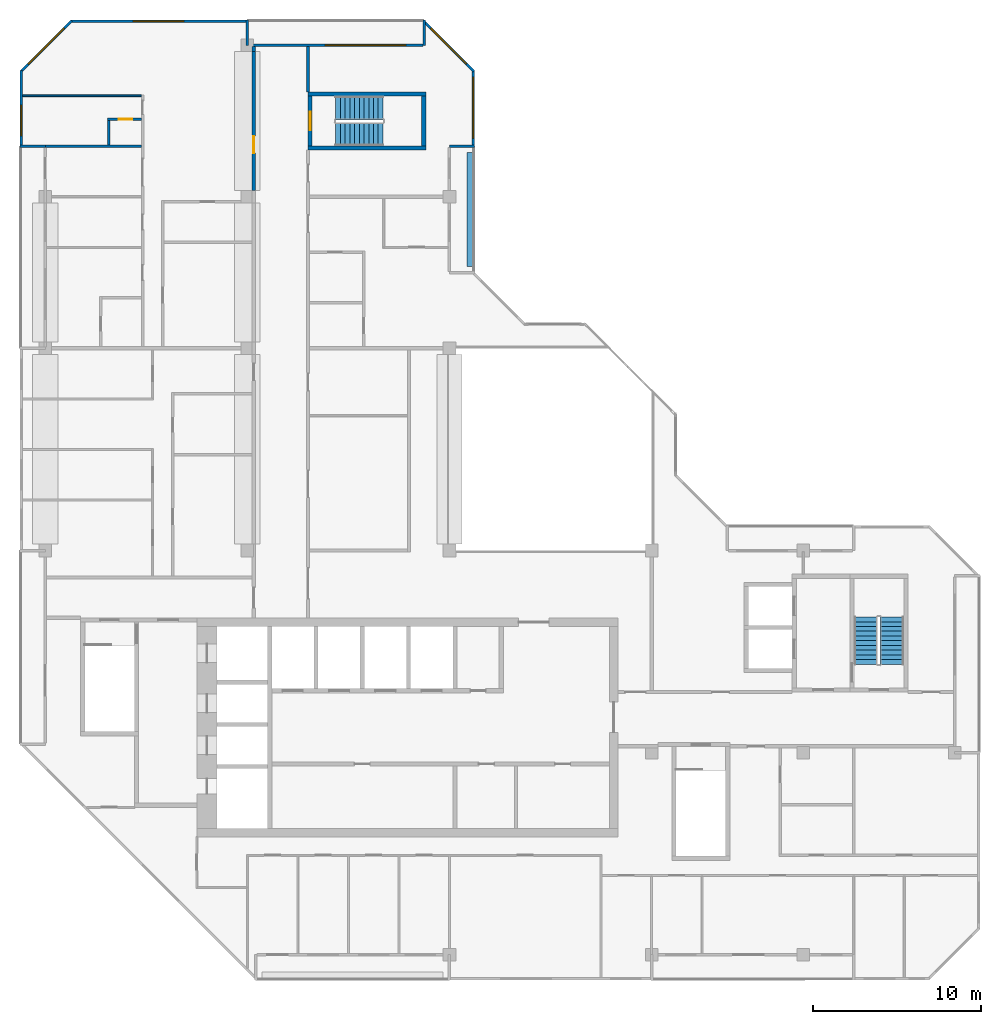
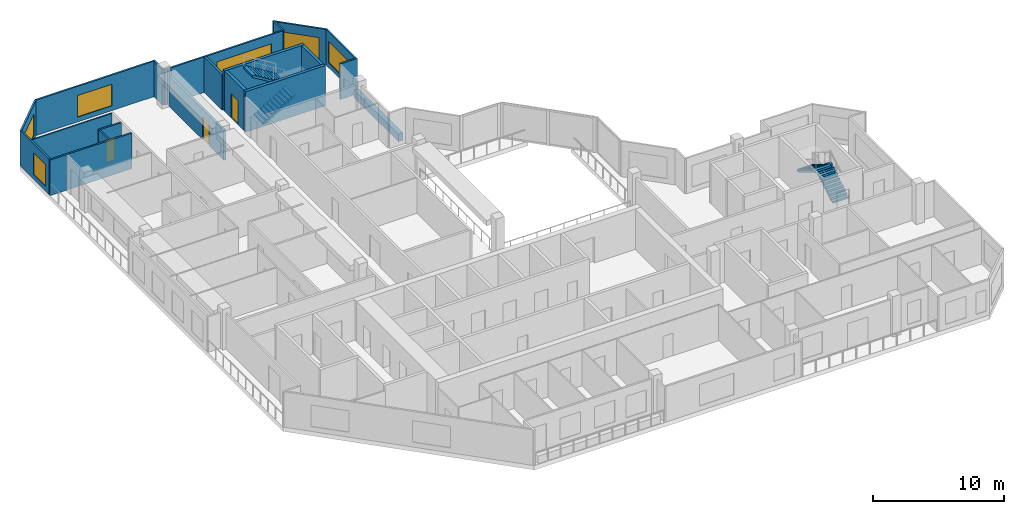
# One storey, part 9 of 11: 22 walls, 6 windows, 4 stair flights, 3 doors, 9 openings, 2 elements without a shape of their own.
"""IFC4 building model written with IfcOpenShell, lengths in metres."""

from ifc_helpers import new_model, si_unit, direction, frame, frame_2d, origin, place, context, subcontext, project, spatial, polyline, rectangle, outline, extrude, material, layer, layer_set, type_object, element, fill, aggregate, save


model = new_model("IFC4")

# Units and contexts
model_context = context("Model", 3, precision=1e-05, world=origin(), true_north=direction((0.0, 1.0)))
body_context = subcontext(model_context, "Body", "Model", "MODEL_VIEW")
ifc_project = project(units=[si_unit("LENGTHUNIT", "METRE"), si_unit("AREAUNIT", "SQUARE_METRE"), si_unit("VOLUMEUNIT", "CUBIC_METRE"), si_unit("PLANEANGLEUNIT", "RADIAN"), si_unit("MASSUNIT", "GRAM", prefix="KILO")], contexts=[model_context])

# Site, building, storey
site_placement = place(None, origin())
site = spatial("IfcSite", under=ifc_project, at=site_placement, CompositionType="ELEMENT")
building_placement = place(site_placement, origin())
building = spatial("IfcBuilding", under=site, at=building_placement, Name="Chenar Terraces", CompositionType="ELEMENT")
storey_placement = place(building_placement, frame((0.0, 0.0, 380.14990234375)))
storey = spatial("IfcBuildingStorey", under=building, at=storey_placement, Name="L89", CompositionType="ELEMENT", Elevation=380.14990234375)

# Walls
ifc_material_1 = material(Name="Concrete C50/60", Category="concrete")
ifc_layer_1 = layer(ifc_material_1, 0.25)
ifc_layer_set_1 = layer_set([ifc_layer_1], Name="Concrete C50/60")
wall_type_1 = type_object("IfcWallType", Name="Core wall 250 Concrete C50/60", PredefinedType="SHEAR", material=ifc_layer_set_1)
for number, where, z_axis, x_axis, name in (
    (1, (15.60009765625, 47.89990234375, 0.0), (0.0, 0.0, 1.0), (1.0, 0.0, 0.0), "Core wall ST4_S L89"),
    (2, (15.60009765625, 51.10009765625, 0.0), (0.0, 0.0, 1.0), (1.0, 0.0, 0.0), "Core wall ST4_N L89"),
):
    element("IfcWall", number, at=place(storey_placement, frame(where, z_axis=z_axis, x_axis=x_axis)), inside=storey, type_object=wall_type_1, Name=name, PredefinedType="SHEAR", context=body_context, shape_type="SweptSolid", body=[
        extrude(rectangle(XDim=7.0, YDim=0.25, at=frame_2d((3.5, 0.0))), origin(), (0.0, 0.0, 1.0), 3.75),
    ])

# Wall, opening, door
wall_1_placement = place(storey_placement, frame((15.72509765625, 48.02490234375, 0.0), z_axis=(0.0, 0.0, 1.0), x_axis=(0.0, 1.0, 0.0)))
wall_1 = element("IfcWall", 3, at=wall_1_placement, inside=storey, type_object=wall_type_1, Name="Core wall ST4_W L89", PredefinedType="SHEAR", context=body_context, shape_type="SweptSolid", body=[
    extrude(rectangle(XDim=2.9501953125, YDim=0.25, at=frame_2d((1.47509765625, 0.0))), origin(), (0.0, 0.0, 1.0), 3.75),
])
opening_1_placement = place(wall_1_placement, frame((0.925048828125, 0.0, 0.0)))
opening_1 = element("IfcOpeningElement", 4, at=opening_1_placement, cuts=wall_1, Name="Opening DL89-C9", PredefinedType="OPENING", context=body_context, shape_type="SweptSolid", body=[
    extrude(rectangle(XDim=1.10009765625, YDim=2.199951171875, at=frame_2d((0.550048828125, 1.10009765625))), frame((0.0, 0.135009765625, 0.0), z_axis=(0.0, -1.0, 0.0), x_axis=(1.0, 0.0, 0.0)), (0.0, 0.0, 1.0), 0.27001953125),
])
ifc_material_2 = material(Name="Steel-framed fire-resisting door leaf", Category="steel")
door_type_1 = type_object("IfcDoorType", Name="Stair fire door FD60 1100 x 2200", OperationType="SINGLE_SWING_LEFT", PredefinedType="DOOR", material=ifc_material_2)
door_1_placement = place(opening_1_placement, frame((1.10009765625, 0.0, 0.0), z_axis=(0.0, 0.0, 1.0), x_axis=(-1.0, 0.0, 0.0)))
door_1 = element("IfcDoor", 5, at=door_1_placement, inside=storey, type_object=door_type_1, Name="Stair door DL89-C9", OperationType="SINGLE_SWING_RIGHT", OverallHeight=2.199951171875, OverallWidth=1.10009765625, PredefinedType="DOOR", context=body_context, shape_type="SweptSolid", body=[
    extrude(rectangle(XDim=1.10009765625, YDim=2.199951171875, at=frame_2d((0.550048828125, 1.10009765625))), frame((0.0, 0.02490234375, 0.0), z_axis=(0.0, -1.0, 0.0), x_axis=(1.0, 0.0, 0.0)), (0.0, 0.0, 1.0), 0.050048828125),
])
fill(opening_1, door_1)

# Walls
wall_2_placement = place(storey_placement, frame((22.47509765625, 48.02490234375, 0.0), z_axis=(0.0, 0.0, 1.0), x_axis=(0.0, 1.0, 0.0)))
element("IfcWall", 6, at=wall_2_placement, inside=storey, type_object=wall_type_1, Name="Core wall ST4_E L89", PredefinedType="SHEAR", context=body_context, shape_type="SweptSolid", body=[
    extrude(rectangle(XDim=2.9501953125, YDim=0.25, at=frame_2d((1.47509765625, 0.0))), origin(), (0.0, 0.0, 1.0), 3.75),
])
ifc_material_3 = material(Name="Gypsum board on steel studs with fire boards", Category="steel")
ifc_layer_2 = layer(ifc_material_3, 0.199951171875)
ifc_layer_set_2 = layer_set([ifc_layer_2], Name="Gypsum board on steel studs with fire boards")
wall_type_2 = type_object("IfcWallType", Name="Corridor wall 200", PredefinedType="PARTITIONING", material=ifc_layer_set_2)
wall_3_placement = place(storey_placement, frame((15.60009765625, 51.22509765625, 0.0), z_axis=(0.0, 0.0, 1.0), x_axis=(0.0, 1.0, 0.0)))
element("IfcWall", 7, at=wall_3_placement, inside=storey, type_object=wall_type_2, Name="Partition L89-032", PredefinedType="PARTITIONING", context=body_context, shape_type="SweptSolid", body=[
    extrude(rectangle(XDim=2.700927734375, YDim=0.199951171875, at=frame_2d((1.3505859375, 0.0))), origin(), (0.0, 0.0, 1.0), 3.300048828125),
])

# Wall, opening, door
wall_4_placement = place(storey_placement, frame((12.375, 45.375, 0.0), z_axis=(0.0, 0.0, 1.0), x_axis=(0.0, 1.0, 0.0)))
wall_4 = element("IfcWall", 8, at=wall_4_placement, inside=storey, type_object=wall_type_2, Name="Partition L89-029", PredefinedType="PARTITIONING", context=body_context, shape_type="SweptSolid", body=[
    extrude(rectangle(XDim=8.25, YDim=0.199951171875, at=frame_2d((4.125, 0.0))), origin(), (0.0, 0.0, 1.0), 2.800048828125),
])
opening_2_placement = place(wall_4_placement, frame((2.22509765625, 0.0, 0.0)))
opening_2 = element("IfcOpeningElement", 9, at=opening_2_placement, cuts=wall_4, Name="Opening DL89-13", PredefinedType="OPENING", context=body_context, shape_type="SweptSolid", body=[
    extrude(rectangle(XDim=1.0, YDim=2.10009765625, at=frame_2d((0.5, 1.050048828125))), frame((0.0, 0.10986328125, 0.0), z_axis=(0.0, -1.0, 0.0), x_axis=(1.0, 0.0, 0.0)), (0.0, 0.0, 1.0), 0.219970703125),
])
ifc_material_4 = material(Name="Steel-framed fire-resisting door leaf", Category="steel")
door_type_2 = type_object("IfcDoorType", Name="Fire door FD30S 1000 x 2100", OperationType="SINGLE_SWING_LEFT", PredefinedType="DOOR", material=ifc_material_4)
door_2_placement = place(opening_2_placement, origin())
door_2 = element("IfcDoor", 10, at=door_2_placement, inside=storey, type_object=door_type_2, Name="Door DL89-13", OperationType="SINGLE_SWING_RIGHT", OverallHeight=2.10009765625, OverallWidth=1.0, PredefinedType="DOOR", context=body_context, shape_type="SweptSolid", body=[
    extrude(rectangle(XDim=1.0, YDim=2.10009765625, at=frame_2d((0.5, 1.050048828125))), frame((0.0, 0.02490234375, 0.0), z_axis=(0.0, -1.0, 0.0), x_axis=(1.0, 0.0, 0.0)), (0.0, 0.0, 1.0), 0.050048828125),
])
fill(opening_2, door_2)

# Wall
wall_5_placement = place(storey_placement, frame((12.375, 53.625, 0.0), z_axis=(0.0, 0.0, 1.0), x_axis=(0.0, 1.0, 0.0)))
element("IfcWall", 11, at=wall_5_placement, inside=storey, type_object=wall_type_2, Name="Partition L89-029", PredefinedType="PARTITIONING", context=body_context, shape_type="SweptSolid", body=[
    extrude(rectangle(XDim=0.301025390625, YDim=0.199951171875, at=frame_2d((0.150390625, 0.0))), origin(), (0.0, 0.0, 1.0), 3.300048828125),
])

# Wall, opening, window
ifc_material_5 = material(Name="Aluminium framed glazing", Category="aluminium")
ifc_layer_3 = layer(ifc_material_5, 0.14990234375)
ifc_layer_set_3 = layer_set([ifc_layer_3], Name="Aluminium framed glazing")
wall_type_3 = type_object("IfcWallType", Name="Glazed flush facade wall 150", PredefinedType="SOLIDWALL", material=ifc_layer_set_3)
wall_6_placement = place(storey_placement, frame((25.425048828125, 48.074951171875, 0.0), z_axis=(0.0, 0.0, 1.0), x_axis=(0.0, 1.0, 0.0)))
wall_6 = element("IfcWall", 12, at=wall_6_placement, inside=storey, type_object=wall_type_3, Name="Glazed flush facade wall", PredefinedType="SOLIDWALL", context=body_context, shape_type="SweptSolid", body=[
    extrude(rectangle(XDim=4.425048828125, YDim=0.14990234375, at=frame_2d((2.21240234375, 0.0))), origin(), (0.0, 0.0, 1.0), 3.300048828125),
])
opening_3_placement = place(wall_6_placement, frame((0.41259765625, 0.0, 0.449951171875)))
opening_3 = element("IfcOpeningElement", 13, at=opening_3_placement, cuts=wall_6, Name="Opening W360x200", PredefinedType="OPENING", context=body_context, shape_type="SweptSolid", body=[
    extrude(rectangle(XDim=3.60009765625, YDim=2.0, at=frame_2d((1.800048828125, 1.0))), frame((0.0, 0.0849609375, 0.0), z_axis=(0.0, -1.0, 0.0), x_axis=(1.0, 0.0, 0.0)), (0.0, 0.0, 1.0), 0.169921875),
])
ifc_material_6 = material(Name="Low emissivity double glazing, aluminium frame", Category="aluminium")
window_type_1 = type_object("IfcWindowType", Name="Fixed light 3600 x 2000", PartitioningType="SINGLE_PANEL", PredefinedType="WINDOW", material=ifc_material_6)
window_1_placement = place(opening_3_placement, origin())
window_1 = element("IfcWindow", 14, at=window_1_placement, inside=storey, type_object=window_type_1, Name="Window", OverallHeight=2.0, OverallWidth=3.60009765625, PartitioningType="SINGLE_PANEL", PredefinedType="WINDOW", context=body_context, shape_type="SweptSolid", body=[
    extrude(rectangle(XDim=3.60009765625, YDim=2.0, at=frame_2d((1.800048828125, 1.0))), frame((0.0, 0.030029296875, 0.0), z_axis=(0.0, -1.0, 0.0), x_axis=(1.0, 0.0, 0.0)), (0.0, 0.0, 1.0), 0.06005859375),
])
fill(opening_3, window_1)

wall_7_placement = place(storey_placement, frame((11.925048828125, 55.425048828125, 0.0), z_axis=(0.0, 0.0, 1.0), x_axis=(-1.0, 0.0, 0.0)))
wall_7 = element("IfcWall", 15, at=wall_7_placement, inside=storey, type_object=wall_type_3, Name="Glazed flush facade wall", PredefinedType="SOLIDWALL", context=body_context, shape_type="SweptSolid", body=[
    extrude(rectangle(XDim=10.425048828125, YDim=0.14990234375, at=frame_2d((5.21240234375, 0.0))), origin(), (0.0, 0.0, 1.0), 3.300048828125),
])
opening_4_placement = place(wall_7_placement, frame((3.71240234375, 0.0, 0.449951171875)))
opening_4 = element("IfcOpeningElement", 16, at=opening_4_placement, cuts=wall_7, Name="Opening W300x200", PredefinedType="OPENING", context=body_context, shape_type="SweptSolid", body=[
    extrude(rectangle(XDim=3.0, YDim=2.0, at=frame_2d((1.5, 1.0))), frame((0.0, 0.0849609375, 0.0), z_axis=(0.0, -1.0, 0.0), x_axis=(1.0, 0.0, 0.0)), (0.0, 0.0, 1.0), 0.169921875),
])
ifc_material_7 = material(Name="Low emissivity double glazing, aluminium frame", Category="aluminium")
window_type_2 = type_object("IfcWindowType", Name="Fixed light 3000 x 2000", PartitioningType="SINGLE_PANEL", PredefinedType="WINDOW", material=ifc_material_7)
window_2_placement = place(opening_4_placement, origin())
window_2 = element("IfcWindow", 17, at=window_2_placement, inside=storey, type_object=window_type_2, Name="Window", OverallHeight=2.0, OverallWidth=3.0, PartitioningType="SINGLE_PANEL", PredefinedType="WINDOW", context=body_context, shape_type="SweptSolid", body=[
    extrude(rectangle(XDim=3.0, YDim=2.0, at=frame_2d((1.5, 1.0))), frame((0.0, 0.030029296875, 0.0), z_axis=(0.0, -1.0, 0.0), x_axis=(1.0, 0.0, 0.0)), (0.0, 0.0, 1.0), 0.06005859375),
])
fill(opening_4, window_2)

wall_8_placement = place(storey_placement, frame((-1.425048828125, 52.5, 0.0), z_axis=(0.0, 0.0, 1.0), x_axis=(0.0, -1.0, 0.0)))
wall_8 = element("IfcWall", 18, at=wall_8_placement, inside=storey, type_object=wall_type_3, Name="Glazed flush facade wall", PredefinedType="SOLIDWALL", context=body_context, shape_type="SweptSolid", body=[
    extrude(rectangle(XDim=4.425048828125, YDim=0.14990234375, at=frame_2d((2.21240234375, 0.0))), origin(), (0.0, 0.0, 1.0), 3.300048828125),
])
opening_5_placement = place(wall_8_placement, frame((2.0625, 0.0, 0.449951171875)))
opening_5 = element("IfcOpeningElement", 19, at=opening_5_placement, cuts=wall_8, Name="Opening W180x200", PredefinedType="OPENING", context=body_context, shape_type="SweptSolid", body=[
    extrude(rectangle(XDim=1.800048828125, YDim=2.0, at=frame_2d((0.89990234375, 1.0))), frame((0.0, 0.0849609375, 0.0), z_axis=(0.0, -1.0, 0.0), x_axis=(1.0, 0.0, 0.0)), (0.0, 0.0, 1.0), 0.169921875),
])
ifc_material_8 = material(Name="Low emissivity double glazing, aluminium frame", Category="aluminium")
window_type_3 = type_object("IfcWindowType", Name="Fixed light 1800 x 2000", PartitioningType="SINGLE_PANEL", PredefinedType="WINDOW", material=ifc_material_8)
window_3_placement = place(opening_5_placement, origin())
window_3 = element("IfcWindow", 20, at=window_3_placement, inside=storey, type_object=window_type_3, Name="Window", OverallHeight=2.0, OverallWidth=1.800048828125, PartitioningType="SINGLE_PANEL", PredefinedType="WINDOW", context=body_context, shape_type="SweptSolid", body=[
    extrude(rectangle(XDim=1.800048828125, YDim=2.0, at=frame_2d((0.89990234375, 1.0))), frame((0.0, 0.030029296875, 0.0), z_axis=(0.0, -1.0, 0.0), x_axis=(1.0, 0.0, 0.0)), (0.0, 0.0, 1.0), 0.06005859375),
])
fill(opening_5, window_3)

ifc_material_9 = material(Name="Aluminium framed glazing", Category="aluminium")
ifc_layer_4 = layer(ifc_material_9, 0.14990234375)
ifc_layer_set_4 = layer_set([ifc_layer_4], Name="Aluminium framed glazing")
wall_type_4 = type_object("IfcWallType", Name="Glazed loggia back wall 150", PredefinedType="SOLIDWALL", material=ifc_layer_set_4)
wall_9_placement = place(storey_placement, frame((22.425048828125, 54.0, 0.0), z_axis=(0.0, 0.0, 1.0), x_axis=(-1.0, 0.0, 0.0)))
wall_9 = element("IfcWall", 21, at=wall_9_placement, inside=storey, type_object=wall_type_4, Name="Glazed loggia back wall", PredefinedType="SOLIDWALL", context=body_context, shape_type="SweptSolid", body=[
    extrude(rectangle(XDim=10.35009765625, YDim=0.14990234375, at=frame_2d((5.175048828125, 0.0))), origin(), (0.0, 0.0, 1.0), 3.300048828125),
])
opening_6_placement = place(wall_9_placement, frame((1.012451171875, 0.0, 0.449951171875)))
opening_6 = element("IfcOpeningElement", 22, at=opening_6_placement, cuts=wall_9, Name="Opening W480x200", PredefinedType="OPENING", context=body_context, shape_type="SweptSolid", body=[
    extrude(rectangle(XDim=4.800048828125, YDim=2.0, at=frame_2d((2.39990234375, 1.0))), frame((0.0, 0.0849609375, 0.0), z_axis=(0.0, -1.0, 0.0), x_axis=(1.0, 0.0, 0.0)), (0.0, 0.0, 1.0), 0.169921875),
])
ifc_material_10 = material(Name="Low emissivity double glazing, aluminium frame", Category="aluminium")
window_type_4 = type_object("IfcWindowType", Name="Fixed light 4800 x 2000", PartitioningType="SINGLE_PANEL", PredefinedType="WINDOW", material=ifc_material_10)
window_4_placement = place(opening_6_placement, origin())
window_4 = element("IfcWindow", 23, at=window_4_placement, inside=storey, type_object=window_type_4, Name="Window", OverallHeight=2.0, OverallWidth=4.800048828125, PartitioningType="SINGLE_PANEL", PredefinedType="WINDOW", context=body_context, shape_type="SweptSolid", body=[
    extrude(rectangle(XDim=4.800048828125, YDim=2.0, at=frame_2d((2.39990234375, 1.0))), frame((0.0, 0.030029296875, 0.0), z_axis=(0.0, -1.0, 0.0), x_axis=(1.0, 0.0, 0.0)), (0.0, 0.0, 1.0), 0.06005859375),
])
fill(opening_6, window_4)

# Walls
ifc_material_11 = material(Name="Gypsum board on steel studs", Category="steel")
ifc_layer_5 = layer(ifc_material_11, 0.10009765625)
ifc_layer_set_5 = layer_set([ifc_layer_5], Name="Gypsum board on steel studs")
wall_type_5 = type_object("IfcWallType", Name="Gypsum partition 100", PredefinedType="PARTITIONING", material=ifc_layer_set_5)
wall_10_placement = place(storey_placement, frame((-1.35009765625, 51.0, 0.0), z_axis=(0.0, 0.0, 1.0), x_axis=(1.0, 0.0, 0.0)))
element("IfcWall", 24, at=wall_10_placement, inside=storey, type_object=wall_type_5, Name="Partition L89-006", PredefinedType="PARTITIONING", context=body_context, shape_type="SweptSolid", body=[
    extrude(rectangle(XDim=7.050048828125, YDim=0.10009765625, at=frame_2d((3.52490234375, 0.0))), origin(), (0.0, 0.0, 1.0), 3.300048828125),
])
ifc_material_12 = material(Name="Terracotta cladding on insulated backing", Category="masonry")
ifc_layer_6 = layer(ifc_material_12, 0.14990234375)
ifc_layer_set_6 = layer_set([ifc_layer_6], Name="Terracotta cladding on insulated backing")
wall_type_6 = type_object("IfcWallType", Name="Loggia return wall 150", PredefinedType="SOLIDWALL", material=ifc_layer_set_6)
for number, where, z_axis, x_axis, name in (
    (25, (25.5, 48.0, 0.0), (0.0, 0.0, 1.0), (-1.0, 0.0, 0.0), "Loggia return wall"),
    (26, (22.5, 55.5, 0.0), (0.0, 0.0, 1.0), (0.0, -1.0, 0.0), "Loggia return wall"),
    (27, (12.0, 55.5, 0.0), (0.0, 0.0, 1.0), (0.0, -1.0, 0.0), "Loggia return wall"),
    (28, (-1.5, 48.0, 0.0), (0.0, 0.0, 1.0), (1.0, 0.0, 0.0), "Loggia return wall"),
):
    element("IfcWall", number, at=place(storey_placement, frame(where, z_axis=z_axis, x_axis=x_axis)), inside=storey, type_object=wall_type_6, Name=name, PredefinedType="SOLIDWALL", context=body_context, shape_type="SweptSolid", body=[
        extrude(rectangle(XDim=1.5, YDim=0.14990234375, at=frame_2d((0.75, 0.0))), origin(), (0.0, 0.0, 1.0), 3.300048828125),
    ])

# Wall, opening, window
ifc_material_13 = material(Name="Terracotta cladding on insulated backing", Category="masonry")
ifc_layer_7 = layer(ifc_material_13, 0.14990234375)
ifc_layer_set_7 = layer_set([ifc_layer_7], Name="Terracotta cladding on insulated backing")
wall_type_7 = type_object("IfcWallType", Name="Terracotta rainscreen wall 150", PredefinedType="SOLIDWALL", material=ifc_layer_set_7)
wall_11_placement = place(storey_placement, frame((25.447021484375, 52.447021484375, 0.0), z_axis=(0.0, 0.0, 1.0), x_axis=(-0.707106781187, 0.707106781187, 0.0)))
wall_11 = element("IfcWall", 29, at=wall_11_placement, inside=storey, type_object=wall_type_7, Name="Terracotta rainscreen wall", PredefinedType="SOLIDWALL", context=body_context, shape_type="SweptSolid", body=[
    extrude(rectangle(XDim=4.24267578125, YDim=0.14990234375, at=frame_2d((2.121337890625, 0.0))), origin(), (0.0, 0.0, 1.0), 3.300048828125),
])
opening_7_placement = place(wall_11_placement, frame((0.621337890625, 0.0, 0.449951171875)))
opening_7 = element("IfcOpeningElement", 30, at=opening_7_placement, cuts=wall_11, Name="Opening W300x200", PredefinedType="OPENING", context=body_context, shape_type="SweptSolid", body=[
    extrude(rectangle(XDim=3.0, YDim=2.0, at=frame_2d((1.5, 1.0))), frame((0.0, 0.0849609375, 0.0), z_axis=(0.0, -1.0, 0.0), x_axis=(1.0, 0.0, 0.0)), (0.0, 0.0, 1.0), 0.169921875),
])
window_5_placement = place(opening_7_placement, origin())
window_5 = element("IfcWindow", 31, at=window_5_placement, inside=storey, type_object=window_type_2, Name="Window", OverallHeight=2.0, OverallWidth=3.0, PartitioningType="SINGLE_PANEL", PredefinedType="WINDOW", context=body_context, shape_type="SweptSolid", body=[
    extrude(rectangle(XDim=3.0, YDim=2.0, at=frame_2d((1.5, 1.0))), frame((0.0, 0.030029296875, 0.0), z_axis=(0.0, -1.0, 0.0), x_axis=(1.0, 0.0, 0.0)), (0.0, 0.0, 1.0), 0.06005859375),
])
fill(opening_7, window_5)

wall_12_placement = place(storey_placement, frame((1.552978515625, 55.447021484375, 0.0), z_axis=(0.0, 0.0, 1.0), x_axis=(-0.707106781187, -0.707106781187, 0.0)))
wall_12 = element("IfcWall", 32, at=wall_12_placement, inside=storey, type_object=wall_type_7, Name="Terracotta rainscreen wall", PredefinedType="SOLIDWALL", context=body_context, shape_type="SweptSolid", body=[
    extrude(rectangle(XDim=4.24267578125, YDim=0.14990234375, at=frame_2d((2.121337890625, 0.0))), origin(), (0.0, 0.0, 1.0), 3.300048828125),
])
opening_8_placement = place(wall_12_placement, frame((0.621337890625, 0.0, 0.449951171875)))
opening_8 = element("IfcOpeningElement", 33, at=opening_8_placement, cuts=wall_12, Name="Opening W300x200", PredefinedType="OPENING", context=body_context, shape_type="SweptSolid", body=[
    extrude(rectangle(XDim=3.0, YDim=2.0, at=frame_2d((1.5, 1.0))), frame((0.0, 0.0849609375, 0.0), z_axis=(0.0, -1.0, 0.0), x_axis=(1.0, 0.0, 0.0)), (0.0, 0.0, 1.0), 0.169921875),
])
window_6_placement = place(opening_8_placement, origin())
window_6 = element("IfcWindow", 34, at=window_6_placement, inside=storey, type_object=window_type_2, Name="Window", OverallHeight=2.0, OverallWidth=3.0, PartitioningType="SINGLE_PANEL", PredefinedType="WINDOW", context=body_context, shape_type="SweptSolid", body=[
    extrude(rectangle(XDim=3.0, YDim=2.0, at=frame_2d((1.5, 1.0))), frame((0.0, 0.030029296875, 0.0), z_axis=(0.0, -1.0, 0.0), x_axis=(1.0, 0.0, 0.0)), (0.0, 0.0, 1.0), 0.06005859375),
])
fill(opening_8, window_6)

# Walls
ifc_material_14 = material(Name="GRP planter trough")
ifc_layer_8 = layer(ifc_material_14, 0.39990234375)
ifc_layer_set_8 = layer_set([ifc_layer_8], Name="GRP planter trough")
wall_type_8 = type_object("IfcWallType", Name="Vertical greenery planter 400", PredefinedType="SOLIDWALL", material=ifc_layer_set_8)
wall_13_placement = place(storey_placement, frame((25.22900390625, 40.875, 0.0), z_axis=(0.0, 0.0, 1.0), x_axis=(0.0, 1.0, 0.0)))
element("IfcWall", 35, at=wall_13_placement, inside=storey, type_object=wall_type_8, Name="Vertical greenery planter", PredefinedType="SOLIDWALL", context=body_context, shape_type="SweptSolid", body=[
    extrude(rectangle(XDim=6.75, YDim=0.39990234375, at=frame_2d((3.375, 0.0))), origin(), (0.0, 0.0, 1.0), 0.7001953125),
])
ifc_material_15 = material(Name="Moisture-resistant gypsum board on steel studs", Category="steel")
ifc_layer_9 = layer(ifc_material_15, 0.14990234375)
ifc_layer_set_9 = layer_set([ifc_layer_9], Name="Moisture-resistant gypsum board on steel studs")
wall_type_9 = type_object("IfcWallType", Name="Wet-room partition 150", PredefinedType="PARTITIONING", material=ifc_layer_set_9)
wall_14_placement = place(storey_placement, frame((0.0, 48.0, 0.0), z_axis=(0.0, 0.0, 1.0), x_axis=(1.0, 0.0, 0.0)))
element("IfcWall", 36, at=wall_14_placement, inside=storey, type_object=wall_type_9, Name="Partition L89-005", PredefinedType="PARTITIONING", context=body_context, shape_type="SweptSolid", body=[
    extrude(rectangle(XDim=5.699951171875, YDim=0.14990234375, at=frame_2d((2.85009765625, 0.0))), origin(), (0.0, 0.0, 1.0), 3.300048828125),
])

# Wall, opening, door
wall_15_placement = place(storey_placement, frame((3.699951171875, 49.60009765625, 0.0), z_axis=(0.0, 0.0, 1.0), x_axis=(1.0, 0.0, 0.0)))
wall_15 = element("IfcWall", 37, at=wall_15_placement, inside=storey, type_object=wall_type_9, Name="Partition L89-014", PredefinedType="PARTITIONING", context=body_context, shape_type="SweptSolid", body=[
    extrude(rectangle(XDim=2.0, YDim=0.14990234375, at=frame_2d((1.0, 0.0))), origin(), (0.0, 0.0, 1.0), 3.300048828125),
])
opening_9_placement = place(wall_15_placement, frame((0.675048828125, 0.0, 0.0)))
opening_9 = element("IfcOpeningElement", 38, at=opening_9_placement, cuts=wall_15, Name="Opening DL89-15", PredefinedType="OPENING", context=body_context, shape_type="SweptSolid", body=[
    extrude(rectangle(XDim=0.800048828125, YDim=2.10009765625, at=frame_2d((0.39990234375, 1.050048828125))), frame((0.0, 0.0849609375, 0.0), z_axis=(0.0, -1.0, 0.0), x_axis=(1.0, 0.0, 0.0)), (0.0, 0.0, 1.0), 0.169921875),
])
ifc_material_16 = material(Name="Veneered timber door leaf", Category="wood")
door_type_3 = type_object("IfcDoorType", Name="Door 800 x 2100", OperationType="SINGLE_SWING_LEFT", PredefinedType="DOOR", material=ifc_material_16)
door_3_placement = place(opening_9_placement, frame((0.800048828125, 0.0, 0.0), z_axis=(0.0, 0.0, 1.0), x_axis=(-1.0, 0.0, 0.0)))
door_3 = element("IfcDoor", 39, at=door_3_placement, inside=storey, type_object=door_type_3, Name="Door DL89-15", OperationType="SINGLE_SWING_RIGHT", OverallHeight=2.10009765625, OverallWidth=0.800048828125, PredefinedType="DOOR", context=body_context, shape_type="SweptSolid", body=[
    extrude(rectangle(XDim=0.800048828125, YDim=2.10009765625, at=frame_2d((0.39990234375, 1.050048828125))), frame((0.0, 0.02490234375, 0.0), z_axis=(0.0, -1.0, 0.0), x_axis=(1.0, 0.0, 0.0)), (0.0, 0.0, 1.0), 0.050048828125),
])
fill(opening_9, door_3)

# Wall
wall_16_placement = place(storey_placement, frame((3.77490234375, 48.074951171875, 0.0), z_axis=(0.0, 0.0, 1.0), x_axis=(0.0, 1.0, 0.0)))
element("IfcWall", 40, at=wall_16_placement, inside=storey, type_object=wall_type_9, Name="Partition L89-015", PredefinedType="PARTITIONING", context=body_context, shape_type="SweptSolid", body=[
    extrude(rectangle(XDim=1.449951171875, YDim=0.14990234375, at=frame_2d((0.72509765625, 0.0))), origin(), (0.0, 0.0, 1.0), 3.300048828125),
])

# Stair, stair flights
ifc_material_17 = material(Name="Reinforced concrete C40/50", Category="concrete")
stair_type = type_object("IfcStairType", Name="Core stair 1400 half-turn", PredefinedType="HALF_TURN_STAIR", material=ifc_material_17)
placement = place(storey_placement, origin())
stair_1 = element("IfcStair", 41, at=placement, inside=storey, type_object=stair_type, Name="L89 Stair 3", PredefinedType="HALF_TURN_STAIR")
ifc_material_18 = material(Name="Reinforced concrete C40/50", Category="concrete")
stair_flight_type = type_object("IfcStairFlightType", Name="Core stair flight 1400", PredefinedType="STRAIGHT", material=ifc_material_18)
stair_flight_1_placement = place(storey_placement, frame((50.27490234375, 17.25, 0.0), z_axis=(0.0, 0.0, 1.0), x_axis=(0.0, 1.0, 0.0)))
stair_flight_1 = element("IfcStairFlight", 42, at=stair_flight_1_placement, type_object=stair_flight_type, Name="ST3 flight 1", NumberOfRisers=11, NumberOfTreads=10, PredefinedType="STRAIGHT", RiserHeight=0.170454545, TreadLength=0.28, context=body_context, shape_type="SweptSolid", body=[
    extrude(outline(polyline([(-0.0029296875, 0.0), (-0.0029296875, 0.17041015625), (0.0, 0.17041015625), (0.280029296875, 0.17041015625), (0.280029296875, 0.3408203125), (0.56005859375, 0.3408203125), (0.56005859375, 0.511474609375), (0.840087890625, 0.511474609375), (0.840087890625, 0.681884765625), (1.1201171875, 0.681884765625), (1.1201171875, 0.852294921875), (1.39990234375, 0.852294921875), (1.39990234375, 1.022705078125), (1.679931640625, 1.022705078125), (1.679931640625, 1.193115234375), (1.9599609375, 1.193115234375), (1.9599609375, 1.363525390625), (2.239990234375, 1.363525390625), (2.239990234375, 1.5341796875), (2.52001953125, 1.5341796875), (2.52001953125, 1.70458984375), (2.800048828125, 1.70458984375), (2.802978515625, 1.70458984375), (2.802978515625, 1.529052734375), (2.800048828125, 1.529052734375), (0.288330078125, 0.0), (-0.0029296875, 0.0)])), frame((0.0, 0.699951171875, 0.0), z_axis=(0.0, -1.0, 0.0), x_axis=(1.0, 0.0, 0.0)), (0.0, 0.0, 1.0), 1.39990234375),
])
stair_flight_2_placement = place(storey_placement, frame((48.72509765625, 20.050048828125, 1.875), z_axis=(0.0, 0.0, 1.0), x_axis=(0.0, -1.0, 0.0)))
stair_flight_2 = element("IfcStairFlight", 43, at=stair_flight_2_placement, type_object=stair_flight_type, Name="ST3 flight 2", NumberOfRisers=11, NumberOfTreads=10, PredefinedType="STRAIGHT", RiserHeight=0.170454545, TreadLength=0.28, context=body_context, shape_type="SweptSolid", body=[
    extrude(outline(polyline([(-0.0029296875, 0.0), (-0.0029296875, 0.17041015625), (0.0, 0.17041015625), (0.280029296875, 0.17041015625), (0.280029296875, 0.3408203125), (0.56005859375, 0.3408203125), (0.56005859375, 0.511474609375), (0.840087890625, 0.511474609375), (0.840087890625, 0.681884765625), (1.1201171875, 0.681884765625), (1.1201171875, 0.852294921875), (1.39990234375, 0.852294921875), (1.39990234375, 1.022705078125), (1.679931640625, 1.022705078125), (1.679931640625, 1.193115234375), (1.9599609375, 1.193115234375), (1.9599609375, 1.363525390625), (2.239990234375, 1.363525390625), (2.239990234375, 1.5341796875), (2.52001953125, 1.5341796875), (2.52001953125, 1.70458984375), (2.800048828125, 1.70458984375), (2.802978515625, 1.70458984375), (2.802978515625, 1.529052734375), (2.800048828125, 1.529052734375), (0.288330078125, 0.0), (-0.0029296875, 0.0)])), frame((0.0, 0.699951171875, 0.0), z_axis=(0.0, -1.0, 0.0), x_axis=(1.0, 0.0, 0.0)), (0.0, 0.0, 1.0), 1.39990234375),
])
aggregate(stair_1, [stair_flight_1, stair_flight_2])

stair_2 = element("IfcStair", 44, at=placement, inside=storey, type_object=stair_type, Name="L89 Stair 4", PredefinedType="HALF_TURN_STAIR")
stair_flight_3_placement = place(storey_placement, frame((17.25, 48.72509765625, 0.0), z_axis=(0.0, 0.0, 1.0), x_axis=(1.0, 0.0, 0.0)))
stair_flight_3 = element("IfcStairFlight", 45, at=stair_flight_3_placement, type_object=stair_flight_type, Name="ST4 flight 1", NumberOfRisers=11, NumberOfTreads=10, PredefinedType="STRAIGHT", RiserHeight=0.170454545, TreadLength=0.28, context=body_context, shape_type="SweptSolid", body=[
    extrude(outline(polyline([(-0.0029296875, 0.0), (-0.0029296875, 0.17041015625), (0.0, 0.17041015625), (0.280029296875, 0.17041015625), (0.280029296875, 0.3408203125), (0.56005859375, 0.3408203125), (0.56005859375, 0.511474609375), (0.840087890625, 0.511474609375), (0.840087890625, 0.681884765625), (1.1201171875, 0.681884765625), (1.1201171875, 0.852294921875), (1.39990234375, 0.852294921875), (1.39990234375, 1.022705078125), (1.679931640625, 1.022705078125), (1.679931640625, 1.193115234375), (1.9599609375, 1.193115234375), (1.9599609375, 1.363525390625), (2.239990234375, 1.363525390625), (2.239990234375, 1.5341796875), (2.52001953125, 1.5341796875), (2.52001953125, 1.70458984375), (2.800048828125, 1.70458984375), (2.802978515625, 1.70458984375), (2.802978515625, 1.529052734375), (2.800048828125, 1.529052734375), (0.288330078125, 0.0), (-0.0029296875, 0.0)])), frame((0.0, 0.699951171875, 0.0), z_axis=(0.0, -1.0, 0.0), x_axis=(1.0, 0.0, 0.0)), (0.0, 0.0, 1.0), 1.39990234375),
])
stair_flight_4_placement = place(storey_placement, frame((20.050048828125, 50.27490234375, 1.875), z_axis=(0.0, 0.0, 1.0), x_axis=(-1.0, 0.0, 0.0)))
stair_flight_4 = element("IfcStairFlight", 46, at=stair_flight_4_placement, type_object=stair_flight_type, Name="ST4 flight 2", NumberOfRisers=11, NumberOfTreads=10, PredefinedType="STRAIGHT", RiserHeight=0.170454545, TreadLength=0.28, context=body_context, shape_type="SweptSolid", body=[
    extrude(outline(polyline([(-0.0029296875, 0.0), (-0.0029296875, 0.17041015625), (0.0, 0.17041015625), (0.280029296875, 0.17041015625), (0.280029296875, 0.3408203125), (0.56005859375, 0.3408203125), (0.56005859375, 0.511474609375), (0.840087890625, 0.511474609375), (0.840087890625, 0.681884765625), (1.1201171875, 0.681884765625), (1.1201171875, 0.852294921875), (1.39990234375, 0.852294921875), (1.39990234375, 1.022705078125), (1.679931640625, 1.022705078125), (1.679931640625, 1.193115234375), (1.9599609375, 1.193115234375), (1.9599609375, 1.363525390625), (2.239990234375, 1.363525390625), (2.239990234375, 1.5341796875), (2.52001953125, 1.5341796875), (2.52001953125, 1.70458984375), (2.800048828125, 1.70458984375), (2.802978515625, 1.70458984375), (2.802978515625, 1.529052734375), (2.800048828125, 1.529052734375), (0.288330078125, 0.0), (-0.0029296875, 0.0)])), frame((0.0, 0.699951171875, 0.0), z_axis=(0.0, -1.0, 0.0), x_axis=(1.0, 0.0, 0.0)), (0.0, 0.0, 1.0), 1.39990234375),
])
aggregate(stair_2, [stair_flight_3, stair_flight_4])

save(model, "model.ifc")
